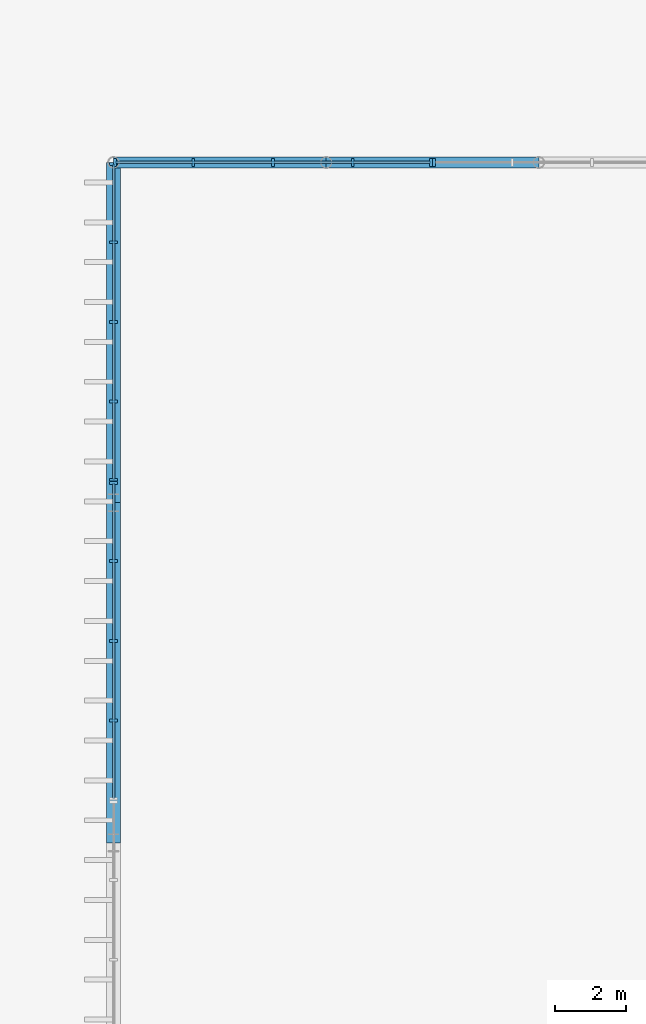
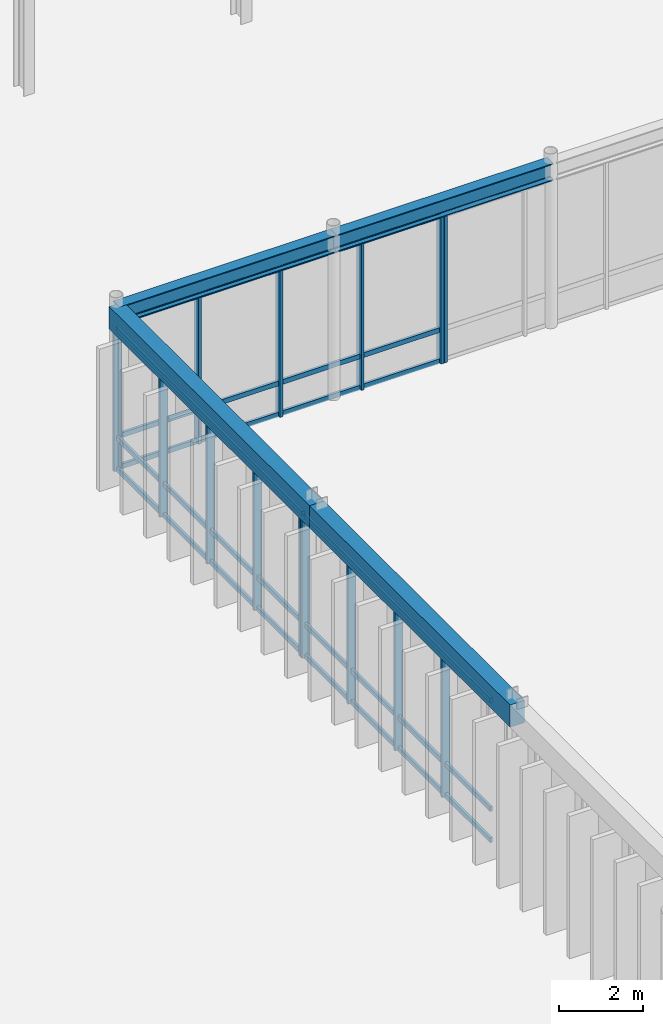
# One storey, part 24 of 64: 24 members, 4 beams, 4 elements without a shape of their own.
"""IFC4 building model written with IfcOpenShell, lengths in metres."""

import ifcopenshell
import ifcopenshell.guid

model = None  # the IFC model being written
_history = None  # IfcOwnerHistory: only IFC2X3 demands one
_inside = {}  # id of a spatial element -> (the spatial element, [elements in it])
_under = {}  # id of a project, library or spatial element -> (it, [spatial elements below it])
_declared = {}  # id of a project -> (the project, [libraries it declares])
_typed = {}  # id of a type object -> (the type object, [elements of that type])
_made_of = {}  # id of a material, layer set ... -> (it, [elements and type objects made of it])


def new_model(schema):
    """Start an empty IFC model of exactly this schema.

    Asked for "IFC4X3", IfcOpenShell would pick the latest addendum, in which some entities
    have other attributes; the version numbers below select the first issue.
    IFC2X3 requires an IfcOwnerHistory on every rooted entity: one is made here for all.
    """
    global model, _history
    if schema == "IFC4X3":
        model = ifcopenshell.file(schema_version=(4, 3, 0, 0))
    else:
        model = ifcopenshell.file(schema=schema)
    _inside.clear()
    _under.clear()
    _declared.clear()
    _typed.clear()
    _made_of.clear()
    _history = None
    if model.schema == "IFC2X3":
        org = make("IfcOrganization", Name="unknown")
        user = make(
            "IfcPersonAndOrganization",
            ThePerson=make("IfcPerson", FamilyName="unknown"),
            TheOrganization=org,
        )
        app = make(
            "IfcApplication",
            ApplicationDeveloper=org,
            Version="unknown",
            ApplicationFullName="unknown",
            ApplicationIdentifier="unknown",
        )
        _history = make(
            "IfcOwnerHistory",
            OwningUser=user,
            OwningApplication=app,
            ChangeAction="ADDED",
            CreationDate=0,
        )
    return model


def make(cls, **values):
    """One entity of the class cls with the attributes given. An attribute that is None is left unset."""
    return model.create_entity(
        cls, **{name: value for name, value in values.items() if value is not None}
    )


def rooted(cls, **values):
    """An entity with a GlobalId (a new one), such as an element, a storey or a relation."""
    return make(cls, GlobalId=ifcopenshell.guid.new(), OwnerHistory=_history, **values)


def si_unit(unit_type, name, prefix=None):
    """IfcSIUnit, for example si_unit("LENGTHUNIT", "METRE", prefix="MILLI")."""
    return make("IfcSIUnit", UnitType=unit_type, Prefix=prefix, Name=name)


def assignment(units):
    """IfcUnitAssignment: the units of a project."""
    return None if units is None else make("IfcUnitAssignment", Units=units)


def point(xyz):
    """IfcCartesianPoint."""
    return None if xyz is None else make("IfcCartesianPoint", Coordinates=xyz)


def direction(xyz):
    """IfcDirection."""
    return None if xyz is None else make("IfcDirection", DirectionRatios=xyz)


def frame(location, z_axis=None, x_axis=None):
    """IfcAxis2Placement3D, a coordinate frame: its origin and axes. An axis left out is left unset."""
    return make(
        "IfcAxis2Placement3D",
        Location=point(location),
        Axis=direction(z_axis),
        RefDirection=direction(x_axis),
    )


def frame_2d(location, x_axis=None):
    """IfcAxis2Placement2D, a coordinate frame in the plane: its origin and x axis."""
    return make(
        "IfcAxis2Placement2D", Location=point(location), RefDirection=direction(x_axis)
    )


def origin():
    """The frame at (0, 0, 0) with its axes left unset."""
    return frame((0.0, 0.0, 0.0))


def origin_2d():
    """The frame at (0, 0) in the plane with its x axis left unset."""
    return frame_2d((0.0, 0.0))


def place(relative_to, where):
    """IfcLocalPlacement: puts the frame where relative to a parent placement (None: the world)."""
    return make(
        "IfcLocalPlacement", PlacementRelTo=relative_to, RelativePlacement=where
    )


def context(
    kind, dimensions, precision=None, world=None, true_north=None, identifier=None
):
    """IfcGeometricRepresentationContext, for example the 3D "Model" context."""
    return make(
        "IfcGeometricRepresentationContext",
        ContextIdentifier=identifier,
        ContextType=kind,
        CoordinateSpaceDimension=dimensions,
        Precision=precision,
        WorldCoordinateSystem=world,
        TrueNorth=true_north,
    )


def subcontext(parent, identifier, kind, view, scale=None):
    """IfcGeometricRepresentationSubContext, for example "Body" below "Model"."""
    return make(
        "IfcGeometricRepresentationSubContext",
        ContextIdentifier=identifier,
        ContextType=kind,
        ParentContext=parent,
        TargetScale=scale,
        TargetView=view,
    )


def project(units=None, contexts=None):
    """IfcProject with its units and contexts."""
    return rooted(
        "IfcProject",
        Name="project",
        RepresentationContexts=contexts,
        UnitsInContext=assignment(units),
    )


def spatial(cls, under=None, at=None, **own):
    """A site, building, storey or space (cls), placed at a placement, below another one or the project."""
    s = rooted(cls, ObjectPlacement=at, **own)
    if under is not None:
        _under.setdefault(under.id(), (under, []))[1].append(s)
    return s


def profile(cls, at=None, kind="AREA", **sizes):
    """A parametric profile (cls). Its sizes go by their IFC names, for example OverallWidth=200.0."""
    return make(cls, ProfileType=kind, Position=at, **sizes)


def rectangle(**sizes):
    """IfcRectangleProfileDef."""
    return profile("IfcRectangleProfileDef", **sizes)


def i_section(**sizes):
    """IfcIShapeProfileDef."""
    return profile("IfcIShapeProfileDef", **sizes)


def extrude(swept, where, along, depth):
    """IfcExtrudedAreaSolid: the profile swept, set in the frame where, extruded along a direction by depth."""
    return make(
        "IfcExtrudedAreaSolid",
        SweptArea=swept,
        Position=where,
        ExtrudedDirection=direction(along),
        Depth=depth,
    )


def shape(context_of_items, identifier, shape_type, items):
    """IfcShapeRepresentation: the items that make up one representation, for example the "Body"."""
    return make(
        "IfcShapeRepresentation",
        ContextOfItems=context_of_items,
        RepresentationIdentifier=identifier,
        RepresentationType=shape_type,
        Items=items,
    )


def material(Name=None, Category=None):
    """IfcMaterial."""
    return make("IfcMaterial", Name=Name, Category=Category)


def layer(
    of_material, thickness, ventilated=None, Name=None, Category=None, Priority=None
):
    """IfcMaterialLayer: one layer of a wall or slab, of a material (None: an air gap)."""
    return make(
        "IfcMaterialLayer",
        Material=of_material,
        LayerThickness=thickness,
        IsVentilated=ventilated,
        Name=Name,
        Category=Category,
        Priority=Priority,
    )


def layer_set(layers, Name=None):
    """IfcMaterialLayerSet."""
    return make("IfcMaterialLayerSet", MaterialLayers=layers, LayerSetName=Name)


def material_profile(
    of_material, cross_section, Name=None, Category=None, Priority=None
):
    """IfcMaterialProfile: a cross section and its material."""
    return make(
        "IfcMaterialProfile",
        Name=Name,
        Material=of_material,
        Profile=cross_section,
        Priority=Priority,
        Category=Category,
    )


def profile_set(profiles, Name=None, composite=None):
    """IfcMaterialProfileSet."""
    return make(
        "IfcMaterialProfileSet",
        Name=Name,
        MaterialProfiles=profiles,
        CompositeProfile=composite,
    )


def made_of(thing, what):
    """Note that an element or type object is made of a material, layer set ...; save() writes the relation."""
    if what is not None:
        _made_of.setdefault(what.id(), (what, []))[1].append(thing)
    return thing


def type_object(cls, material=None, **own):
    """A type object (cls), such as IfcWallType, which elements share."""
    return made_of(rooted(cls, **own), material)


def element(
    cls,
    number,
    at=None,
    inside=None,
    cuts=None,
    type_object=None,
    material=None,
    context=None,
    identifier="Body",
    shape_type=None,
    held_by="IfcProductDefinitionShape",
    body=None,
    shapes=None,
    **own,
):
    """One element of the class cls, such as IfcWall. Its Tag is "e" and its number.

    at: its placement. inside: the storey or other place that contains it. cuts: it is an
    opening in that element (IfcRelVoidsElement). A single representation is given by context,
    identifier, shape_type and body (its items); several are given by shapes. held_by: the class
    of the entity that holds the representations. save() writes the other relations.
    """
    e = rooted(cls, Tag="e%d" % number, ObjectPlacement=at, **own)
    if body is not None:
        shapes = [shape(context, identifier, shape_type, body)]
    if shapes is not None:
        e.Representation = make(held_by, Representations=shapes)
    if inside is not None:
        _inside.setdefault(inside.id(), (inside, []))[1].append(e)
    if cuts is not None:
        rooted(
            "IfcRelVoidsElement", RelatingBuildingElement=cuts, RelatedOpeningElement=e
        )
    if type_object is not None:
        _typed.setdefault(type_object.id(), (type_object, []))[1].append(e)
    return made_of(e, material)


def aggregate(whole, parts):
    """IfcRelAggregates: a whole, such as a stair, and the parts it consists of."""
    return rooted("IfcRelAggregates", RelatingObject=whole, RelatedObjects=parts)


def save(model, path):
    """Write the relations noted so far, then the file.

    IfcRelAggregates (storeys below a building ...), IfcRelContainedInSpatialStructure (elements
    in a storey), IfcRelDefinesByType, IfcRelAssociatesMaterial and IfcRelDeclares: one each for
    every whole, place, type object, material and project.
    """
    for whole, parts in _under.values():
        aggregate(whole, parts)
    for where, things in _inside.values():
        rooted(
            "IfcRelContainedInSpatialStructure",
            RelatedElements=things,
            RelatingStructure=where,
        )
    for kind, things in _typed.values():
        rooted("IfcRelDefinesByType", RelatedObjects=things, RelatingType=kind)
    for what, things in _made_of.values():
        rooted("IfcRelAssociatesMaterial", RelatedObjects=things, RelatingMaterial=what)
    for by, libraries in _declared.values():
        rooted("IfcRelDeclares", RelatingContext=by, RelatedDefinitions=libraries)
    model.write(path)


model = new_model("IFC4")

# Units and contexts
model_context = context("Model", 3, precision=1e-05, world=origin(), true_north=direction((0.0, 1.0)))
body_context = subcontext(model_context, "Body", "Model", "MODEL_VIEW")
ifc_project = project(units=[si_unit("LENGTHUNIT", "METRE"), si_unit("AREAUNIT", "SQUARE_METRE"), si_unit("VOLUMEUNIT", "CUBIC_METRE"), si_unit("PLANEANGLEUNIT", "RADIAN"), si_unit("MASSUNIT", "GRAM", prefix="KILO")], contexts=[model_context])

# Site, building, storey
site_placement = place(None, origin())
site = spatial("IfcSite", under=ifc_project, at=site_placement, CompositionType="ELEMENT")
building_placement = place(site_placement, origin())
building = spatial("IfcBuilding", under=site, at=building_placement, Name="Montealbar Specialist Clinic", CompositionType="ELEMENT")
storey_placement = place(building_placement, origin())
storey = spatial("IfcBuildingStorey", under=building, at=storey_placement, Name="L00", CompositionType="ELEMENT", Elevation=0.0)

# Beams
ifc_material_1 = material(Name="Steel S355", Category="steel")
ifc_material_profile_1 = material_profile(ifc_material_1, i_section(OverallWidth=0.300048828125, OverallDepth=0.5, WebThickness=0.014404296875, FlangeThickness=0.028076171875, FilletRadius=0.027099609375, at=origin_2d()), Name="HEB 500", Category="steel")
ifc_profile_set_1 = profile_set([ifc_material_profile_1], Name="Steel S355")
beam_type_1 = type_object("IfcBeamType", Name="BM-GIRD-HEB500-EXT", PredefinedType="BEAM", material=ifc_profile_set_1)
for number, where, z_axis, x_axis, name in (
    (1, (54.0, 81.0, 4.56005859375), (1.0, 0.0, 0.0), (0.0, 1.0, 0.0), "Beam GX-L00-540-600-810"),
    (2, (60.0, 81.0, 4.56005859375), (1.0, 0.0, 0.0), (0.0, 1.0, 0.0), "Beam GX-L00-600-660-810"),
):
    element("IfcBeam", number, at=place(storey_placement, frame(where, z_axis=z_axis, x_axis=x_axis)), inside=storey, type_object=beam_type_1, Name=name, PredefinedType="BEAM", context=body_context, shape_type="SweptSolid", body=[
        extrude(i_section(OverallWidth=0.300048828125, OverallDepth=0.5, WebThickness=0.014404296875, FlangeThickness=0.028076171875, FilletRadius=0.027099609375, at=origin_2d()), origin(), (0.0, 0.0, 1.0), 6.0),
    ])
ifc_material_2 = material(Name="Concrete C35/45", Category="concrete")
ifc_material_profile_2 = material_profile(ifc_material_2, rectangle(XDim=0.39990234375, YDim=0.64990234375, at=origin_2d()), Name="RC 400x650", Category="concrete")
ifc_profile_set_2 = profile_set([ifc_material_profile_2], Name="Concrete C35/45")
beam_type_2 = type_object("IfcBeamType", Name="BM-RC-400x650-EXT", PredefinedType="BEAM", material=ifc_profile_set_2)
beam_1_placement = place(storey_placement, frame((54.0, 61.800048828125, 4.485107421875), z_axis=(0.0, 1.0, 0.0), x_axis=(-1.0, 0.0, 0.0)))
element("IfcBeam", 3, at=beam_1_placement, inside=storey, type_object=beam_type_2, Name="Beam GY-L00-540-618-714", PredefinedType="BEAM", context=body_context, shape_type="SweptSolid", body=[
    extrude(rectangle(XDim=0.39990234375, YDim=0.64990234375, at=origin_2d()), origin(), (0.0, 0.0, 1.0), 9.599853515625),
])
beam_2_placement = place(storey_placement, frame((54.0, 71.39990234375, 4.485107421875), z_axis=(0.0, 1.0, 0.0), x_axis=(-1.0, 0.0, 0.0)))
element("IfcBeam", 4, at=beam_2_placement, inside=storey, type_object=beam_type_2, Name="Beam GY-L00-540-714-810", PredefinedType="BEAM", context=body_context, shape_type="SweptSolid", body=[
    extrude(rectangle(XDim=0.39990234375, YDim=0.64990234375, at=origin_2d()), origin(), (0.0, 0.0, 1.0), 9.60009765625),
])

# Curtain wall, members
ifc_material_3 = material(Name="Low-E double glazing", Category="glass")
ifc_layer_1 = layer(ifc_material_3, 0.199951171875, Name="Low-E double glazing", Category="glass")
ifc_layer_set_1 = layer_set([ifc_layer_1], Name="Low-E double glazing")
curtain_wall_type_1 = type_object("IfcCurtainWallType", Name="CW-TYPE-01", PredefinedType="NOTDEFINED", material=ifc_layer_set_1)
curtain_wall_1_placement = place(storey_placement, origin())
curtain_wall_1 = element("IfcCurtainWall", 5, at=curtain_wall_1_placement, inside=storey, type_object=curtain_wall_type_1, Name="Unitised Curtain Wall CW-L00-540-630-540-720-0", PredefinedType="NOTDEFINED")
ifc_material_4 = material(Name="Anodised aluminium EN AW-6063", Category="aluminium")
ifc_material_profile_3 = material_profile(ifc_material_4, rectangle(XDim=0.080078125, YDim=0.219970703125, at=origin_2d()), Name="ALU 80x220", Category="aluminium")
ifc_profile_set_3 = profile_set([ifc_material_profile_3], Name="Anodised aluminium EN AW-6063")
member_type_1 = type_object("IfcMemberType", Name="CW-MUL-220", PredefinedType="MULLION", material=ifc_profile_set_3)
member_1_placement = place(storey_placement, frame((54.0, 65.25, 0.0), z_axis=(0.0, 0.0, 1.0), x_axis=(0.0, 1.0, 0.0)))
member_1 = element("IfcMember", 6, at=member_1_placement, type_object=member_type_1, Name="Curtain Wall Mullion CW-L00-540-630-540-720-0-01", PredefinedType="MULLION", context=body_context, shape_type="SweptSolid", body=[
    extrude(rectangle(XDim=0.080078125, YDim=0.219970703125, at=origin_2d()), origin(), (0.0, 0.0, 1.0), 4.159912109375),
])
member_2_placement = place(storey_placement, frame((54.0, 67.5, 0.0), z_axis=(0.0, 0.0, 1.0), x_axis=(0.0, 1.0, 0.0)))
member_2 = element("IfcMember", 7, at=member_2_placement, type_object=member_type_1, Name="Curtain Wall Mullion CW-L00-540-630-540-720-0-02", PredefinedType="MULLION", context=body_context, shape_type="SweptSolid", body=[
    extrude(rectangle(XDim=0.080078125, YDim=0.219970703125, at=origin_2d()), origin(), (0.0, 0.0, 1.0), 4.159912109375),
])
member_3_placement = place(storey_placement, frame((54.0, 69.75, 0.0), z_axis=(0.0, 0.0, 1.0), x_axis=(0.0, 1.0, 0.0)))
member_3 = element("IfcMember", 8, at=member_3_placement, type_object=member_type_1, Name="Curtain Wall Mullion CW-L00-540-630-540-720-0-03", PredefinedType="MULLION", context=body_context, shape_type="SweptSolid", body=[
    extrude(rectangle(XDim=0.080078125, YDim=0.219970703125, at=origin_2d()), origin(), (0.0, 0.0, 1.0), 4.159912109375),
])
member_4_placement = place(storey_placement, frame((54.0, 71.955078125, 0.0), z_axis=(0.0, 0.0, 1.0), x_axis=(0.0, 1.0, 0.0)))
member_4 = element("IfcMember", 9, at=member_4_placement, type_object=member_type_1, Name="Curtain Wall Mullion CW-L00-540-630-540-720-0-04", PredefinedType="MULLION", context=body_context, shape_type="SweptSolid", body=[
    extrude(rectangle(XDim=0.080078125, YDim=0.219970703125, at=origin_2d()), origin(), (0.0, 0.0, 1.0), 4.159912109375),
])

curtain_wall_2_placement = place(storey_placement, origin())
curtain_wall_2 = element("IfcCurtainWall", 10, at=curtain_wall_2_placement, inside=storey, type_object=curtain_wall_type_1, Name="Unitised Curtain Wall CW-L00-540-720-540-810-0", PredefinedType="NOTDEFINED")
member_5_placement = place(storey_placement, frame((54.0, 72.044921875, 0.0), z_axis=(0.0, 0.0, 1.0), x_axis=(0.0, 1.0, 0.0)))
member_5 = element("IfcMember", 11, at=member_5_placement, type_object=member_type_1, Name="Curtain Wall Mullion CW-L00-540-720-540-810-0-00", PredefinedType="MULLION", context=body_context, shape_type="SweptSolid", body=[
    extrude(rectangle(XDim=0.080078125, YDim=0.219970703125, at=origin_2d()), origin(), (0.0, 0.0, 1.0), 4.159912109375),
])
member_6_placement = place(storey_placement, frame((54.0, 74.25, 0.0), z_axis=(0.0, 0.0, 1.0), x_axis=(0.0, 1.0, 0.0)))
member_6 = element("IfcMember", 12, at=member_6_placement, type_object=member_type_1, Name="Curtain Wall Mullion CW-L00-540-720-540-810-0-01", PredefinedType="MULLION", context=body_context, shape_type="SweptSolid", body=[
    extrude(rectangle(XDim=0.080078125, YDim=0.219970703125, at=origin_2d()), origin(), (0.0, 0.0, 1.0), 4.159912109375),
])
member_7_placement = place(storey_placement, frame((54.0, 76.5, 0.0), z_axis=(0.0, 0.0, 1.0), x_axis=(0.0, 1.0, 0.0)))
member_7 = element("IfcMember", 13, at=member_7_placement, type_object=member_type_1, Name="Curtain Wall Mullion CW-L00-540-720-540-810-0-02", PredefinedType="MULLION", context=body_context, shape_type="SweptSolid", body=[
    extrude(rectangle(XDim=0.080078125, YDim=0.219970703125, at=origin_2d()), origin(), (0.0, 0.0, 1.0), 4.159912109375),
])
member_8_placement = place(storey_placement, frame((54.0, 78.75, 0.0), z_axis=(0.0, 0.0, 1.0), x_axis=(0.0, 1.0, 0.0)))
member_8 = element("IfcMember", 14, at=member_8_placement, type_object=member_type_1, Name="Curtain Wall Mullion CW-L00-540-720-540-810-0-03", PredefinedType="MULLION", context=body_context, shape_type="SweptSolid", body=[
    extrude(rectangle(XDim=0.080078125, YDim=0.219970703125, at=origin_2d()), origin(), (0.0, 0.0, 1.0), 4.159912109375),
])
member_9_placement = place(storey_placement, frame((54.0, 80.955078125, 0.0), z_axis=(0.0, 0.0, 1.0), x_axis=(0.0, 1.0, 0.0)))
member_9 = element("IfcMember", 15, at=member_9_placement, type_object=member_type_1, Name="Curtain Wall Mullion CW-L00-540-720-540-810-0-04", PredefinedType="MULLION", context=body_context, shape_type="SweptSolid", body=[
    extrude(rectangle(XDim=0.080078125, YDim=0.219970703125, at=origin_2d()), origin(), (0.0, 0.0, 1.0), 4.159912109375),
])

ifc_layer_2 = layer(ifc_material_3, 0.199951171875, Name="Low-E double glazing", Category="glass")
ifc_layer_set_2 = layer_set([ifc_layer_2], Name="Low-E double glazing")
curtain_wall_type_2 = type_object("IfcCurtainWallType", Name="CW-TYPE-02", PredefinedType="NOTDEFINED", material=ifc_layer_set_2)
curtain_wall_3_placement = place(storey_placement, origin())
curtain_wall_3 = element("IfcCurtainWall", 16, at=curtain_wall_3_placement, inside=storey, type_object=curtain_wall_type_2, Name="Unitised Curtain Wall CW-L00-540-810-630-810-0", PredefinedType="NOTDEFINED")
member_10_placement = place(storey_placement, frame((54.044921875, 81.0, 0.0), z_axis=(0.0, 0.0, 1.0), x_axis=(1.0, 0.0, 0.0)))
member_10 = element("IfcMember", 17, at=member_10_placement, type_object=member_type_1, Name="Curtain Wall Mullion CW-L00-540-810-630-810-0-00", PredefinedType="MULLION", context=body_context, shape_type="SweptSolid", body=[
    extrude(rectangle(XDim=0.080078125, YDim=0.219970703125, at=origin_2d()), origin(), (0.0, 0.0, 1.0), 4.31005859375),
])
member_11_placement = place(storey_placement, frame((56.25, 81.0, 0.0), z_axis=(0.0, 0.0, 1.0), x_axis=(1.0, 0.0, 0.0)))
member_11 = element("IfcMember", 18, at=member_11_placement, type_object=member_type_1, Name="Curtain Wall Mullion CW-L00-540-810-630-810-0-01", PredefinedType="MULLION", context=body_context, shape_type="SweptSolid", body=[
    extrude(rectangle(XDim=0.080078125, YDim=0.219970703125, at=origin_2d()), origin(), (0.0, 0.0, 1.0), 4.31005859375),
])
member_12_placement = place(storey_placement, frame((58.5, 81.0, 0.0), z_axis=(0.0, 0.0, 1.0), x_axis=(1.0, 0.0, 0.0)))
member_12 = element("IfcMember", 19, at=member_12_placement, type_object=member_type_1, Name="Curtain Wall Mullion CW-L00-540-810-630-810-0-02", PredefinedType="MULLION", context=body_context, shape_type="SweptSolid", body=[
    extrude(rectangle(XDim=0.080078125, YDim=0.219970703125, at=origin_2d()), origin(), (0.0, 0.0, 1.0), 4.31005859375),
])
member_13_placement = place(storey_placement, frame((60.75, 81.0, 0.0), z_axis=(0.0, 0.0, 1.0), x_axis=(1.0, 0.0, 0.0)))
member_13 = element("IfcMember", 20, at=member_13_placement, type_object=member_type_1, Name="Curtain Wall Mullion CW-L00-540-810-630-810-0-03", PredefinedType="MULLION", context=body_context, shape_type="SweptSolid", body=[
    extrude(rectangle(XDim=0.080078125, YDim=0.219970703125, at=origin_2d()), origin(), (0.0, 0.0, 1.0), 4.31005859375),
])
member_14_placement = place(storey_placement, frame((62.955078125, 81.0, 0.0), z_axis=(0.0, 0.0, 1.0), x_axis=(1.0, 0.0, 0.0)))
member_14 = element("IfcMember", 21, at=member_14_placement, type_object=member_type_1, Name="Curtain Wall Mullion CW-L00-540-810-630-810-0-04", PredefinedType="MULLION", context=body_context, shape_type="SweptSolid", body=[
    extrude(rectangle(XDim=0.080078125, YDim=0.219970703125, at=origin_2d()), origin(), (0.0, 0.0, 1.0), 4.31005859375),
])

# Curtain wall, member
curtain_wall_4_placement = place(storey_placement, origin())
curtain_wall_4 = element("IfcCurtainWall", 22, at=curtain_wall_4_placement, inside=storey, type_object=curtain_wall_type_2, Name="Unitised Curtain Wall CW-L00-630-810-720-810-0", PredefinedType="NOTDEFINED")
member_15_placement = place(storey_placement, frame((63.044921875, 81.0, 0.0), z_axis=(0.0, 0.0, 1.0), x_axis=(1.0, 0.0, 0.0)))
member_15 = element("IfcMember", 23, at=member_15_placement, type_object=member_type_1, Name="Curtain Wall Mullion CW-L00-630-810-720-810-0-00", PredefinedType="MULLION", context=body_context, shape_type="SweptSolid", body=[
    extrude(rectangle(XDim=0.080078125, YDim=0.219970703125, at=origin_2d()), origin(), (0.0, 0.0, 1.0), 4.31005859375),
])
aggregate(curtain_wall_4, [member_15])

# Member
ifc_material_5 = material(Name="Powder-coated aluminium", Category="aluminium")
ifc_material_profile_4 = material_profile(ifc_material_5, rectangle(XDim=0.070068359375, YDim=0.139892578125, at=origin_2d()), Name="ALU 70x140", Category="aluminium")
ifc_profile_set_4 = profile_set([ifc_material_profile_4], Name="Powder-coated aluminium")
member_type_2 = type_object("IfcMemberType", Name="CW-TRN-140", PredefinedType="USERDEFINED", material=ifc_profile_set_4)
member_16_placement = place(storey_placement, frame((54.0, 63.050048828125, 0.0400390625), z_axis=(0.0, 1.0, 0.0), x_axis=(-1.0, 0.0, 0.0)))
member_16 = element("IfcMember", 24, at=member_16_placement, type_object=member_type_2, Name="Curtain Wall Transom CW-L00-540-630-540-720-0-00", ObjectType="TRANSOM", PredefinedType="USERDEFINED", context=body_context, shape_type="SweptSolid", body=[
    extrude(rectangle(XDim=0.070068359375, YDim=0.139892578125, at=origin_2d()), origin(), (0.0, 0.0, 1.0), 8.89990234375),
])

member_17_placement = place(storey_placement, frame((54.0, 63.050048828125, 0.949951171875), z_axis=(0.0, 1.0, 0.0), x_axis=(-1.0, 0.0, 0.0)))
member_17 = element("IfcMember", 25, at=member_17_placement, type_object=member_type_2, Name="Curtain Wall Transom CW-L00-540-630-540-720-0-01", ObjectType="TRANSOM", PredefinedType="USERDEFINED", context=body_context, shape_type="SweptSolid", body=[
    extrude(rectangle(XDim=0.070068359375, YDim=0.139892578125, at=origin_2d()), origin(), (0.0, 0.0, 1.0), 8.89990234375),
])

member_18_placement = place(storey_placement, frame((54.0, 63.050048828125, 4.1201171875), z_axis=(0.0, 1.0, 0.0), x_axis=(-1.0, 0.0, 0.0)))
member_18 = element("IfcMember", 26, at=member_18_placement, type_object=member_type_2, Name="Curtain Wall Transom CW-L00-540-630-540-720-0-02", ObjectType="TRANSOM", PredefinedType="USERDEFINED", context=body_context, shape_type="SweptSolid", body=[
    extrude(rectangle(XDim=0.070068359375, YDim=0.139892578125, at=origin_2d()), origin(), (0.0, 0.0, 1.0), 8.89990234375),
])

aggregate(curtain_wall_1, [member_1, member_2, member_3, member_4, member_16, member_17, member_18])

member_19_placement = place(storey_placement, frame((54.0, 72.050048828125, 0.0400390625), z_axis=(0.0, 1.0, 0.0), x_axis=(-1.0, 0.0, 0.0)))
member_19 = element("IfcMember", 27, at=member_19_placement, type_object=member_type_2, Name="Curtain Wall Transom CW-L00-540-720-540-810-0-00", ObjectType="TRANSOM", PredefinedType="USERDEFINED", context=body_context, shape_type="SweptSolid", body=[
    extrude(rectangle(XDim=0.070068359375, YDim=0.139892578125, at=origin_2d()), origin(), (0.0, 0.0, 1.0), 8.89990234375),
])

member_20_placement = place(storey_placement, frame((54.0, 72.050048828125, 0.949951171875), z_axis=(0.0, 1.0, 0.0), x_axis=(-1.0, 0.0, 0.0)))
member_20 = element("IfcMember", 28, at=member_20_placement, type_object=member_type_2, Name="Curtain Wall Transom CW-L00-540-720-540-810-0-01", ObjectType="TRANSOM", PredefinedType="USERDEFINED", context=body_context, shape_type="SweptSolid", body=[
    extrude(rectangle(XDim=0.070068359375, YDim=0.139892578125, at=origin_2d()), origin(), (0.0, 0.0, 1.0), 8.89990234375),
])

member_21_placement = place(storey_placement, frame((54.0, 72.050048828125, 4.1201171875), z_axis=(0.0, 1.0, 0.0), x_axis=(-1.0, 0.0, 0.0)))
member_21 = element("IfcMember", 29, at=member_21_placement, type_object=member_type_2, Name="Curtain Wall Transom CW-L00-540-720-540-810-0-02", ObjectType="TRANSOM", PredefinedType="USERDEFINED", context=body_context, shape_type="SweptSolid", body=[
    extrude(rectangle(XDim=0.070068359375, YDim=0.139892578125, at=origin_2d()), origin(), (0.0, 0.0, 1.0), 8.89990234375),
])

aggregate(curtain_wall_2, [member_5, member_6, member_7, member_8, member_9, member_19, member_20, member_21])

member_22_placement = place(storey_placement, frame((54.050048828125, 81.0, 0.0400390625), z_axis=(1.0, 0.0, 0.0), x_axis=(0.0, 1.0, 0.0)))
member_22 = element("IfcMember", 30, at=member_22_placement, type_object=member_type_2, Name="Curtain Wall Transom CW-L00-540-810-630-810-0-00", ObjectType="TRANSOM", PredefinedType="USERDEFINED", context=body_context, shape_type="SweptSolid", body=[
    extrude(rectangle(XDim=0.070068359375, YDim=0.139892578125, at=origin_2d()), origin(), (0.0, 0.0, 1.0), 8.89990234375),
])

member_23_placement = place(storey_placement, frame((54.050048828125, 81.0, 0.949951171875), z_axis=(1.0, 0.0, 0.0), x_axis=(0.0, 1.0, 0.0)))
member_23 = element("IfcMember", 31, at=member_23_placement, type_object=member_type_2, Name="Curtain Wall Transom CW-L00-540-810-630-810-0-01", ObjectType="TRANSOM", PredefinedType="USERDEFINED", context=body_context, shape_type="SweptSolid", body=[
    extrude(rectangle(XDim=0.070068359375, YDim=0.139892578125, at=origin_2d()), origin(), (0.0, 0.0, 1.0), 8.89990234375),
])

member_24_placement = place(storey_placement, frame((54.050048828125, 81.0, 4.27001953125), z_axis=(1.0, 0.0, 0.0), x_axis=(0.0, 1.0, 0.0)))
member_24 = element("IfcMember", 32, at=member_24_placement, type_object=member_type_2, Name="Curtain Wall Transom CW-L00-540-810-630-810-0-02", ObjectType="TRANSOM", PredefinedType="USERDEFINED", context=body_context, shape_type="SweptSolid", body=[
    extrude(rectangle(XDim=0.070068359375, YDim=0.139892578125, at=origin_2d()), origin(), (0.0, 0.0, 1.0), 8.89990234375),
])

aggregate(curtain_wall_3, [member_10, member_11, member_12, member_13, member_14, member_22, member_23, member_24])

save(model, "model.ifc")
